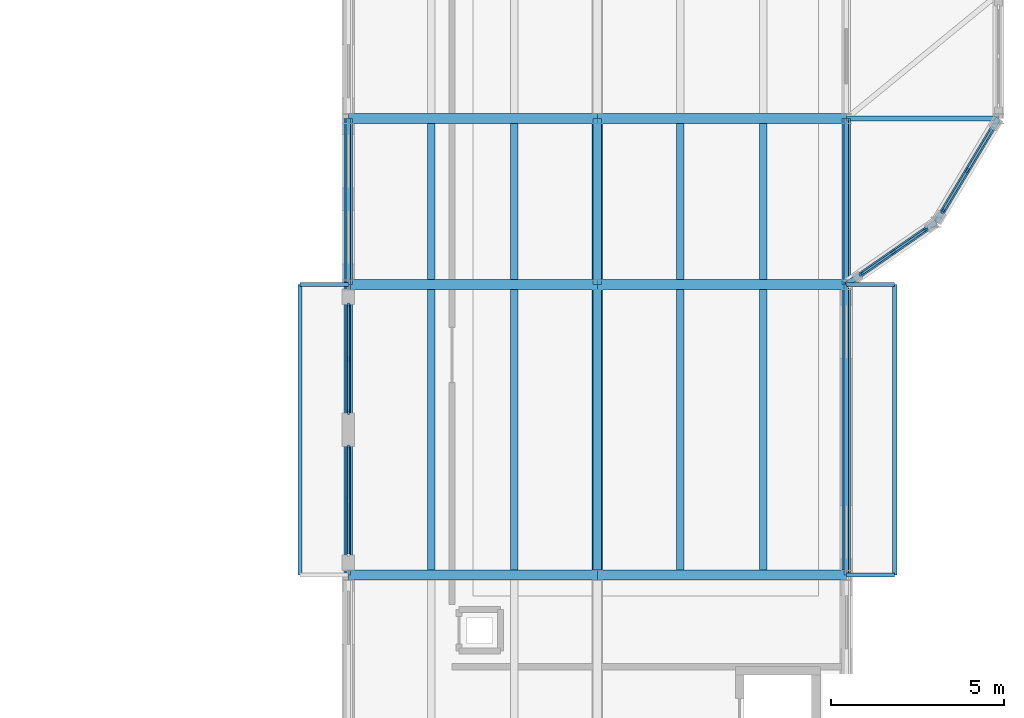
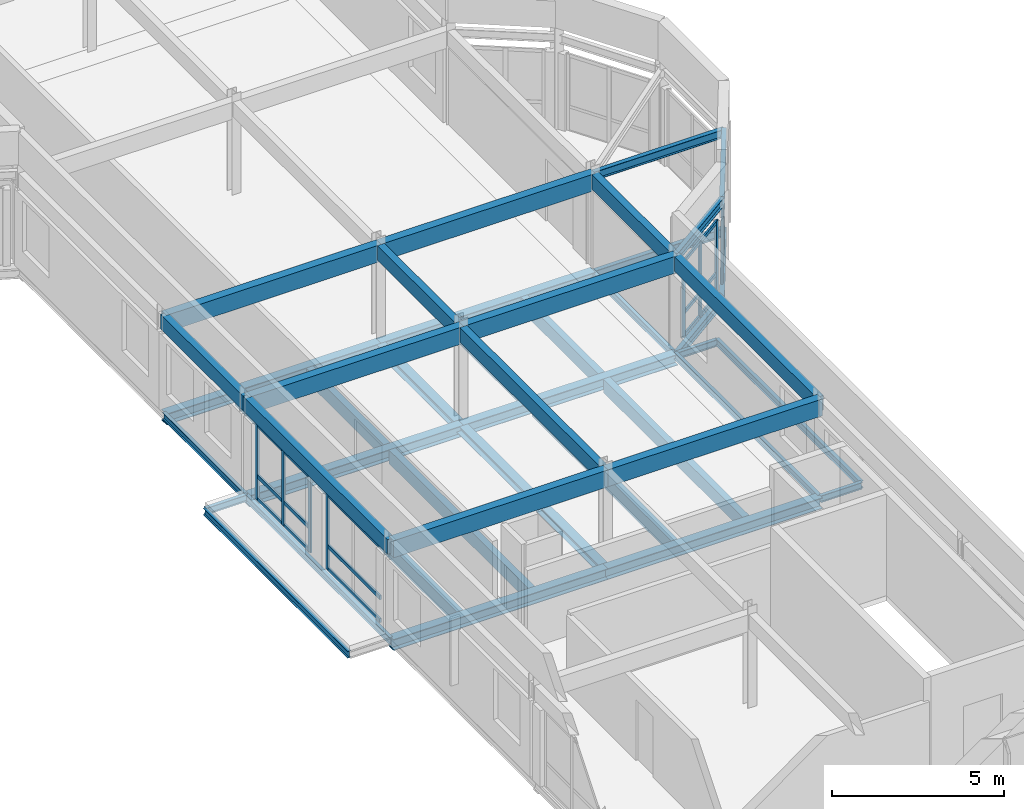
# One storey, part 7 of 21: 43 beams, 20 members, 4 elements without a shape of their own.
"""IFC4 building model written with IfcOpenShell, lengths in metres."""

from ifc_helpers import new_model, si_unit, direction, frame, origin, origin_2d, place, context, subcontext, project, spatial, rectangle, i_section, extrude, material, material_profile, profile_set, type_object, element, aggregate, save


model = new_model("IFC4")

# Units and contexts
model_context = context("Model", 3, precision=1e-05, world=origin(), true_north=direction((0.0, 1.0)))
body_context = subcontext(model_context, "Body", "Model", "MODEL_VIEW")
ifc_project = project(units=[si_unit("LENGTHUNIT", "METRE"), si_unit("AREAUNIT", "SQUARE_METRE"), si_unit("VOLUMEUNIT", "CUBIC_METRE"), si_unit("PLANEANGLEUNIT", "RADIAN"), si_unit("MASSUNIT", "GRAM", prefix="KILO")], contexts=[model_context])

# Site, building, storey
site_placement = place(None, origin())
site = spatial("IfcSite", under=ifc_project, at=site_placement, CompositionType="ELEMENT")
building_placement = place(site_placement, origin())
building = spatial("IfcBuilding", under=site, at=building_placement, Name="Kahlenmark Community Centre", CompositionType="ELEMENT")
storey_placement = place(building_placement, frame((0.0, 0.0, 21.60009765625)))
storey = spatial("IfcBuildingStorey", under=building, at=storey_placement, Name="L05", CompositionType="ELEMENT", Elevation=21.60009765625)

# Beams
ifc_material_1 = material(Name="Glulam GL32h", Category="wood")
ifc_material_profile_1 = material_profile(ifc_material_1, rectangle(XDim=0.239990234375, YDim=0.52001953125, at=origin_2d()), Name="GL32h 240x520")
ifc_profile_set_1 = profile_set([ifc_material_profile_1], Name="Glulam GL32h")
beam_type_1 = type_object("IfcBeamType", Name="BT-BEAM-GL32h240x520", PredefinedType="BEAM", material=ifc_profile_set_1)
beam_1_placement = place(storey_placement, frame((72.39990234375, 67.60009765625, 3.059814453125), z_axis=(0.0, 1.0, 0.0), x_axis=(-1.0, 0.0, 0.0)))
element("IfcBeam", 1, at=beam_1_placement, inside=storey, type_object=beam_type_1, Name="L05 beam BG-RF520", PredefinedType="BEAM", context=body_context, shape_type="SweptSolid", body=[
    extrude(rectangle(XDim=0.239990234375, YDim=0.52001953125, at=origin_2d()), origin(), (0.0, 0.0, 1.0), 8.39990234375),
])
beam_2_placement = place(storey_placement, frame((72.39990234375, 76.0, 3.059814453125), z_axis=(0.0, 1.0, 0.0), x_axis=(-1.0, 0.0, 0.0)))
element("IfcBeam", 2, at=beam_2_placement, inside=storey, type_object=beam_type_1, Name="L05 beam BG-RF520", PredefinedType="BEAM", context=body_context, shape_type="SweptSolid", body=[
    extrude(rectangle(XDim=0.239990234375, YDim=0.52001953125, at=origin_2d()), origin(), (0.0, 0.0, 1.0), 4.800048828125),
])
beam_3_placement = place(storey_placement, frame((79.60009765625, 67.60009765625, 3.059814453125), z_axis=(0.0, 1.0, 0.0), x_axis=(-1.0, 0.0, 0.0)))
element("IfcBeam", 3, at=beam_3_placement, inside=storey, type_object=beam_type_1, Name="L05 beam BG-RF520", PredefinedType="BEAM", context=body_context, shape_type="SweptSolid", body=[
    extrude(rectangle(XDim=0.239990234375, YDim=0.52001953125, at=origin_2d()), origin(), (0.0, 0.0, 1.0), 8.39990234375),
])
beam_4_placement = place(storey_placement, frame((79.60009765625, 76.0, 3.059814453125), z_axis=(0.0, 1.0, 0.0), x_axis=(-1.0, 0.0, 0.0)))
element("IfcBeam", 4, at=beam_4_placement, inside=storey, type_object=beam_type_1, Name="L05 beam BG-RF520", PredefinedType="BEAM", context=body_context, shape_type="SweptSolid", body=[
    extrude(rectangle(XDim=0.239990234375, YDim=0.52001953125, at=origin_2d()), origin(), (0.0, 0.0, 1.0), 4.800048828125),
])
beam_5_placement = place(storey_placement, frame((86.800048828125, 67.60009765625, 3.059814453125), z_axis=(0.0, 1.0, 0.0), x_axis=(-1.0, 0.0, 0.0)))
element("IfcBeam", 5, at=beam_5_placement, inside=storey, type_object=beam_type_1, Name="L05 beam BG-RF520", PredefinedType="BEAM", context=body_context, shape_type="SweptSolid", body=[
    extrude(rectangle(XDim=0.239990234375, YDim=0.52001953125, at=origin_2d()), origin(), (0.0, 0.0, 1.0), 8.39990234375),
])
beam_6_placement = place(storey_placement, frame((86.800048828125, 76.0, 3.059814453125), z_axis=(0.0, 1.0, 0.0), x_axis=(-1.0, 0.0, 0.0)))
element("IfcBeam", 6, at=beam_6_placement, inside=storey, type_object=beam_type_1, Name="L05 beam BG-RF520", PredefinedType="BEAM", context=body_context, shape_type="SweptSolid", body=[
    extrude(rectangle(XDim=0.239990234375, YDim=0.52001953125, at=origin_2d()), origin(), (0.0, 0.0, 1.0), 4.800048828125),
])
ifc_material_profile_2 = material_profile(ifc_material_1, rectangle(XDim=0.280029296875, YDim=0.60009765625, at=origin_2d()), Name="GL32h 280x600")
ifc_profile_set_2 = profile_set([ifc_material_profile_2], Name="Glulam GL32h")
beam_type_2 = type_object("IfcBeamType", Name="BT-BEAM-GL32h280x600", PredefinedType="BEAM", material=ifc_profile_set_2)
beam_7_placement = place(storey_placement, frame((72.39990234375, 67.60009765625, 3.02001953125), z_axis=(1.0, 0.0, 0.0), x_axis=(0.0, 1.0, 0.0)))
element("IfcBeam", 7, at=beam_7_placement, inside=storey, type_object=beam_type_2, Name="L05 beam BG-RF600", PredefinedType="BEAM", context=body_context, shape_type="SweptSolid", body=[
    extrude(rectangle(XDim=0.280029296875, YDim=0.60009765625, at=origin_2d()), origin(), (0.0, 0.0, 1.0), 7.2001953125),
])
beam_8_placement = place(storey_placement, frame((79.60009765625, 67.60009765625, 3.02001953125), z_axis=(1.0, 0.0, 0.0), x_axis=(0.0, 1.0, 0.0)))
element("IfcBeam", 8, at=beam_8_placement, inside=storey, type_object=beam_type_2, Name="L05 beam BG-RF600", PredefinedType="BEAM", context=body_context, shape_type="SweptSolid", body=[
    extrude(rectangle(XDim=0.280029296875, YDim=0.60009765625, at=origin_2d()), origin(), (0.0, 0.0, 1.0), 7.199951171875),
])
beam_9_placement = place(storey_placement, frame((72.39990234375, 76.0, 3.02001953125), z_axis=(1.0, 0.0, 0.0), x_axis=(0.0, 1.0, 0.0)))
element("IfcBeam", 9, at=beam_9_placement, inside=storey, type_object=beam_type_2, Name="L05 beam BG-RF600", PredefinedType="BEAM", context=body_context, shape_type="SweptSolid", body=[
    extrude(rectangle(XDim=0.280029296875, YDim=0.60009765625, at=origin_2d()), origin(), (0.0, 0.0, 1.0), 7.2001953125),
])
beam_10_placement = place(storey_placement, frame((79.60009765625, 76.0, 3.02001953125), z_axis=(1.0, 0.0, 0.0), x_axis=(0.0, 1.0, 0.0)))
element("IfcBeam", 10, at=beam_10_placement, inside=storey, type_object=beam_type_2, Name="L05 beam BG-RF600", PredefinedType="BEAM", context=body_context, shape_type="SweptSolid", body=[
    extrude(rectangle(XDim=0.280029296875, YDim=0.60009765625, at=origin_2d()), origin(), (0.0, 0.0, 1.0), 7.199951171875),
])
beam_11_placement = place(storey_placement, frame((72.39990234375, 80.800048828125, 3.02001953125), z_axis=(1.0, 0.0, 0.0), x_axis=(0.0, 1.0, 0.0)))
element("IfcBeam", 11, at=beam_11_placement, inside=storey, type_object=beam_type_2, Name="L05 beam BG-RF600", PredefinedType="BEAM", context=body_context, shape_type="SweptSolid", body=[
    extrude(rectangle(XDim=0.280029296875, YDim=0.60009765625, at=origin_2d()), origin(), (0.0, 0.0, 1.0), 7.2001953125),
])
beam_12_placement = place(storey_placement, frame((79.60009765625, 80.800048828125, 3.02001953125), z_axis=(1.0, 0.0, 0.0), x_axis=(0.0, 1.0, 0.0)))
element("IfcBeam", 12, at=beam_12_placement, inside=storey, type_object=beam_type_2, Name="L05 beam BG-RF600", PredefinedType="BEAM", context=body_context, shape_type="SweptSolid", body=[
    extrude(rectangle(XDim=0.280029296875, YDim=0.60009765625, at=origin_2d()), origin(), (0.0, 0.0, 1.0), 7.199951171875),
])
ifc_material_2 = material(Name="Steel S355", Category="steel")
ifc_material_profile_3 = material_profile(ifc_material_2, i_section(OverallWidth=0.300048828125, OverallDepth=0.2900390625, WebThickness=0.008544921875, FlangeThickness=0.013916015625, at=origin_2d()), Name="HEA 300")
ifc_profile_set_3 = profile_set([ifc_material_profile_3], Name="Steel S355")
beam_type_3 = type_object("IfcBeamType", Name="BT-BEAM-HEA300", PredefinedType="BEAM", material=ifc_profile_set_3)
beam_13_placement = place(storey_placement, frame((79.60009765625, 67.60009765625, -0.3251953125), z_axis=(0.0, 1.0, 0.0), x_axis=(-1.0, 0.0, 0.0)))
element("IfcBeam", 13, at=beam_13_placement, inside=storey, type_object=beam_type_3, Name="L05 beam BG-HEA300", PredefinedType="BEAM", context=body_context, shape_type="SweptSolid", body=[
    extrude(i_section(OverallWidth=0.300048828125, OverallDepth=0.2900390625, WebThickness=0.008544921875, FlangeThickness=0.013916015625, at=origin_2d()), origin(), (0.0, 0.0, 1.0), 8.39990234375),
])
beam_14_placement = place(storey_placement, frame((79.60009765625, 76.0, -0.3251953125), z_axis=(0.0, 1.0, 0.0), x_axis=(-1.0, 0.0, 0.0)))
element("IfcBeam", 14, at=beam_14_placement, inside=storey, type_object=beam_type_3, Name="L05 beam BG-HEA300", PredefinedType="BEAM", context=body_context, shape_type="SweptSolid", body=[
    extrude(i_section(OverallWidth=0.300048828125, OverallDepth=0.2900390625, WebThickness=0.008544921875, FlangeThickness=0.013916015625, at=origin_2d()), origin(), (0.0, 0.0, 1.0), 4.800048828125),
])
ifc_material_profile_4 = material_profile(ifc_material_2, i_section(OverallWidth=0.300048828125, OverallDepth=0.389892578125, WebThickness=0.010986328125, FlangeThickness=0.01904296875, at=origin_2d()), Name="HEA 400")
ifc_profile_set_4 = profile_set([ifc_material_profile_4], Name="Steel S355")
beam_type_4 = type_object("IfcBeamType", Name="BT-BEAM-HEA400", PredefinedType="BEAM", material=ifc_profile_set_4)
beam_15_placement = place(storey_placement, frame((72.39990234375, 67.60009765625, -0.375), z_axis=(1.0, 0.0, 0.0), x_axis=(0.0, 1.0, 0.0)))
element("IfcBeam", 15, at=beam_15_placement, inside=storey, type_object=beam_type_4, Name="L05 beam BG-HEA400", PredefinedType="BEAM", context=body_context, shape_type="SweptSolid", body=[
    extrude(i_section(OverallWidth=0.300048828125, OverallDepth=0.389892578125, WebThickness=0.010986328125, FlangeThickness=0.01904296875, at=origin_2d()), origin(), (0.0, 0.0, 1.0), 7.2001953125),
])
beam_16_placement = place(storey_placement, frame((79.60009765625, 67.60009765625, -0.375), z_axis=(1.0, 0.0, 0.0), x_axis=(0.0, 1.0, 0.0)))
element("IfcBeam", 16, at=beam_16_placement, inside=storey, type_object=beam_type_4, Name="L05 beam BG-HEA400", PredefinedType="BEAM", context=body_context, shape_type="SweptSolid", body=[
    extrude(i_section(OverallWidth=0.300048828125, OverallDepth=0.389892578125, WebThickness=0.010986328125, FlangeThickness=0.01904296875, at=origin_2d()), origin(), (0.0, 0.0, 1.0), 7.199951171875),
])
beam_17_placement = place(storey_placement, frame((72.39990234375, 76.0, -0.375), z_axis=(1.0, 0.0, 0.0), x_axis=(0.0, 1.0, 0.0)))
element("IfcBeam", 17, at=beam_17_placement, inside=storey, type_object=beam_type_4, Name="L05 beam BG-HEA400", PredefinedType="BEAM", context=body_context, shape_type="SweptSolid", body=[
    extrude(i_section(OverallWidth=0.300048828125, OverallDepth=0.389892578125, WebThickness=0.010986328125, FlangeThickness=0.01904296875, at=origin_2d()), origin(), (0.0, 0.0, 1.0), 7.2001953125),
])
beam_18_placement = place(storey_placement, frame((79.60009765625, 76.0, -0.375), z_axis=(1.0, 0.0, 0.0), x_axis=(0.0, 1.0, 0.0)))
element("IfcBeam", 18, at=beam_18_placement, inside=storey, type_object=beam_type_4, Name="L05 beam BG-HEA400", PredefinedType="BEAM", context=body_context, shape_type="SweptSolid", body=[
    extrude(i_section(OverallWidth=0.300048828125, OverallDepth=0.389892578125, WebThickness=0.010986328125, FlangeThickness=0.01904296875, at=origin_2d()), origin(), (0.0, 0.0, 1.0), 7.199951171875),
])
beam_19_placement = place(storey_placement, frame((72.39990234375, 80.800048828125, -0.375), z_axis=(1.0, 0.0, 0.0), x_axis=(0.0, 1.0, 0.0)))
element("IfcBeam", 19, at=beam_19_placement, inside=storey, type_object=beam_type_4, Name="L05 beam BG-HEA400", PredefinedType="BEAM", context=body_context, shape_type="SweptSolid", body=[
    extrude(i_section(OverallWidth=0.300048828125, OverallDepth=0.389892578125, WebThickness=0.010986328125, FlangeThickness=0.01904296875, at=origin_2d()), origin(), (0.0, 0.0, 1.0), 7.2001953125),
])
beam_20_placement = place(storey_placement, frame((79.60009765625, 80.800048828125, -0.375), z_axis=(1.0, 0.0, 0.0), x_axis=(0.0, 1.0, 0.0)))
element("IfcBeam", 20, at=beam_20_placement, inside=storey, type_object=beam_type_4, Name="L05 beam BG-HEA400", PredefinedType="BEAM", context=body_context, shape_type="SweptSolid", body=[
    extrude(i_section(OverallWidth=0.300048828125, OverallDepth=0.389892578125, WebThickness=0.010986328125, FlangeThickness=0.01904296875, at=origin_2d()), origin(), (0.0, 0.0, 1.0), 7.199951171875),
])
ifc_material_profile_5 = material_profile(ifc_material_2, i_section(OverallWidth=0.1201171875, OverallDepth=0.239990234375, WebThickness=0.006103515625, FlangeThickness=0.009765625, at=origin_2d()), Name="IPE 240")
ifc_profile_set_5 = profile_set([ifc_material_profile_5], Name="Steel S355")
beam_type_5 = type_object("IfcBeamType", Name="BT-BEAM-IPE240", PredefinedType="BEAM", material=ifc_profile_set_5)
for number, where, z_axis, x_axis, name in (
    (21, (86.800048828125, 67.60009765625, -0.300048828125), (1.0, 0.0, 0.0), (0.0, 1.0, 0.0), "L05 beam BG-IPE240"),
    (22, (86.800048828125, 76.0, -0.320068359375), (1.0, 0.0, 0.0), (0.0, 1.0, 0.0), "L05 beam BG-IPE240"),
    (23, (71.0, 76.0, -0.300048828125), (1.0, 0.0, 0.0), (0.0, 1.0, 0.0), "L05 beam BG-IPE240"),
):
    element("IfcBeam", number, at=place(storey_placement, frame(where, z_axis=z_axis, x_axis=x_axis)), inside=storey, type_object=beam_type_5, Name=name, PredefinedType="BEAM", context=body_context, shape_type="SweptSolid", body=[
        extrude(i_section(OverallWidth=0.1201171875, OverallDepth=0.239990234375, WebThickness=0.006103515625, FlangeThickness=0.009765625, at=origin_2d()), origin(), (0.0, 0.0, 1.0), 1.39990234375),
    ])
ifc_material_profile_6 = material_profile(ifc_material_2, i_section(OverallWidth=0.14990234375, OverallDepth=0.300048828125, WebThickness=0.007080078125, FlangeThickness=0.0107421875, at=origin_2d()), Name="IPE 300")
ifc_profile_set_6 = profile_set([ifc_material_profile_6], Name="Steel S355")
beam_type_6 = type_object("IfcBeamType", Name="BT-BEAM-IPE300", PredefinedType="BEAM", material=ifc_profile_set_6)
for number, where, z_axis, x_axis, name in (
    (24, (91.199951171875, 80.800048828125, -0.35009765625), (-1.0, 0.0, 0.0), (0.0, -1.0, 0.0), "L05 beam BG-IPE300"),
    (25, (91.199951171875, 80.800048828125, 3.169921875), (-1.0, 0.0, 0.0), (0.0, -1.0, 0.0), "L05 beam BG-IPE300"),
):
    element("IfcBeam", number, at=place(storey_placement, frame(where, z_axis=z_axis, x_axis=x_axis)), inside=storey, type_object=beam_type_6, Name=name, PredefinedType="BEAM", context=body_context, shape_type="SweptSolid", body=[
        extrude(i_section(OverallWidth=0.14990234375, OverallDepth=0.300048828125, WebThickness=0.007080078125, FlangeThickness=0.0107421875, at=origin_2d()), origin(), (0.0, 0.0, 1.0), 4.39990234375),
    ])
ifc_material_3 = material(Name="Glulam GL28h", Category="wood")
ifc_material_profile_7 = material_profile(ifc_material_3, rectangle(XDim=0.219970703125, YDim=0.47998046875, at=origin_2d()), Name="GL28h 220x480")
ifc_profile_set_7 = profile_set([ifc_material_profile_7], Name="Glulam GL28h")
beam_type_7 = type_object("IfcBeamType", Name="BT-JOIST-GL28h220x480", PredefinedType="JOIST", material=ifc_profile_set_7)
for number, where, z_axis, x_axis, name in (
    (26, (74.800048828125, 67.748046875, -0.420166015625), (0.0, 1.0, 0.0), (-1.0, 0.0, 0.0), "L05 joist BJ-GL28h220x480"),
    (27, (77.199951171875, 67.748046875, -0.420166015625), (0.0, 1.0, 0.0), (-1.0, 0.0, 0.0), "L05 joist BJ-GL28h220x480"),
):
    element("IfcBeam", number, at=place(storey_placement, frame(where, z_axis=z_axis, x_axis=x_axis)), inside=storey, type_object=beam_type_7, Name=name, PredefinedType="JOIST", context=body_context, shape_type="SweptSolid", body=[
        extrude(rectangle(XDim=0.219970703125, YDim=0.47998046875, at=origin_2d()), origin(), (0.0, 0.0, 1.0), 8.10400390625),
    ])
for number, where, z_axis, x_axis, name in (
    (28, (74.800048828125, 76.14794921875, -0.420166015625), (0.0, 1.0, 0.0), (-1.0, 0.0, 0.0), "L05 joist BJ-GL28h220x480"),
    (29, (77.199951171875, 76.14794921875, -0.420166015625), (0.0, 1.0, 0.0), (-1.0, 0.0, 0.0), "L05 joist BJ-GL28h220x480"),
):
    element("IfcBeam", number, at=place(storey_placement, frame(where, z_axis=z_axis, x_axis=x_axis)), inside=storey, type_object=beam_type_7, Name=name, PredefinedType="JOIST", context=body_context, shape_type="SweptSolid", body=[
        extrude(rectangle(XDim=0.219970703125, YDim=0.47998046875, at=origin_2d()), origin(), (0.0, 0.0, 1.0), 4.504150390625),
    ])
for number, where, z_axis, x_axis, name in (
    (30, (82.0, 67.748046875, -0.420166015625), (0.0, 1.0, 0.0), (-1.0, 0.0, 0.0), "L05 joist BJ-GL28h220x480"),
    (31, (84.39990234375, 67.748046875, -0.420166015625), (0.0, 1.0, 0.0), (-1.0, 0.0, 0.0), "L05 joist BJ-GL28h220x480"),
):
    element("IfcBeam", number, at=place(storey_placement, frame(where, z_axis=z_axis, x_axis=x_axis)), inside=storey, type_object=beam_type_7, Name=name, PredefinedType="JOIST", context=body_context, shape_type="SweptSolid", body=[
        extrude(rectangle(XDim=0.219970703125, YDim=0.47998046875, at=origin_2d()), origin(), (0.0, 0.0, 1.0), 8.10400390625),
    ])
for number, where, z_axis, x_axis, name in (
    (32, (82.0, 76.14794921875, -0.420166015625), (0.0, 1.0, 0.0), (-1.0, 0.0, 0.0), "L05 joist BJ-GL28h220x480"),
    (33, (84.39990234375, 76.14794921875, -0.420166015625), (0.0, 1.0, 0.0), (-1.0, 0.0, 0.0), "L05 joist BJ-GL28h220x480"),
):
    element("IfcBeam", number, at=place(storey_placement, frame(where, z_axis=z_axis, x_axis=x_axis)), inside=storey, type_object=beam_type_7, Name=name, PredefinedType="JOIST", context=body_context, shape_type="SweptSolid", body=[
        extrude(rectangle(XDim=0.219970703125, YDim=0.47998046875, at=origin_2d()), origin(), (0.0, 0.0, 1.0), 4.504150390625),
    ])
ifc_material_profile_8 = material_profile(ifc_material_2, i_section(OverallWidth=0.1201171875, OverallDepth=0.239990234375, WebThickness=0.006103515625, FlangeThickness=0.009765625, at=origin_2d()), Name="IPE 240")
ifc_profile_set_8 = profile_set([ifc_material_profile_8], Name="Steel S355")
beam_type_8 = type_object("IfcBeamType", Name="BT-SPANDREL-IPE240", PredefinedType="SPANDREL", material=ifc_profile_set_8)
beam_21_placement = place(storey_placement, frame((72.39990234375, 67.60009765625, -0.300048828125), z_axis=(0.0, 1.0, 0.0), x_axis=(-1.0, 0.0, 0.0)))
element("IfcBeam", 34, at=beam_21_placement, inside=storey, type_object=beam_type_8, Name="L05 spandrel SP-IPE240", PredefinedType="SPANDREL", context=body_context, shape_type="SweptSolid", body=[
    extrude(i_section(OverallWidth=0.1201171875, OverallDepth=0.239990234375, WebThickness=0.006103515625, FlangeThickness=0.009765625, at=origin_2d()), origin(), (0.0, 0.0, 1.0), 8.39990234375),
])
beam_22_placement = place(storey_placement, frame((72.39990234375, 76.0, -0.300048828125), z_axis=(0.0, 1.0, 0.0), x_axis=(-1.0, 0.0, 0.0)))
element("IfcBeam", 35, at=beam_22_placement, inside=storey, type_object=beam_type_8, Name="L05 spandrel SP-IPE240", PredefinedType="SPANDREL", context=body_context, shape_type="SweptSolid", body=[
    extrude(i_section(OverallWidth=0.1201171875, OverallDepth=0.239990234375, WebThickness=0.006103515625, FlangeThickness=0.009765625, at=origin_2d()), origin(), (0.0, 0.0, 1.0), 4.800048828125),
])
beam_23_placement = place(storey_placement, frame((86.800048828125, 67.60009765625, -0.300048828125), z_axis=(0.0, 1.0, 0.0), x_axis=(-1.0, 0.0, 0.0)))
element("IfcBeam", 36, at=beam_23_placement, inside=storey, type_object=beam_type_8, Name="L05 spandrel SP-IPE240", PredefinedType="SPANDREL", context=body_context, shape_type="SweptSolid", body=[
    extrude(i_section(OverallWidth=0.1201171875, OverallDepth=0.239990234375, WebThickness=0.006103515625, FlangeThickness=0.009765625, at=origin_2d()), origin(), (0.0, 0.0, 1.0), 8.39990234375),
])
beam_24_placement = place(storey_placement, frame((86.800048828125, 76.0, -0.320068359375), z_axis=(0.0, 1.0, 0.0), x_axis=(-1.0, 0.0, 0.0)))
element("IfcBeam", 37, at=beam_24_placement, inside=storey, type_object=beam_type_8, Name="L05 spandrel SP-IPE240", PredefinedType="SPANDREL", context=body_context, shape_type="SweptSolid", body=[
    extrude(i_section(OverallWidth=0.1201171875, OverallDepth=0.239990234375, WebThickness=0.006103515625, FlangeThickness=0.009765625, at=origin_2d()), origin(), (0.0, 0.0, 1.0), 4.800048828125),
])
for number, where, z_axis, x_axis, name in (
    (38, (88.199951171875, 67.60009765625, -0.300048828125), (0.0, 1.0, 0.0), (-1.0, 0.0, 0.0), "L05 spandrel SP-IPE240"),
    (39, (71.0, 67.60009765625, -0.300048828125), (0.0, 1.0, 0.0), (-1.0, 0.0, 0.0), "L05 spandrel SP-IPE240"),
):
    element("IfcBeam", number, at=place(storey_placement, frame(where, z_axis=z_axis, x_axis=x_axis)), inside=storey, type_object=beam_type_8, Name=name, PredefinedType="SPANDREL", context=body_context, shape_type="SweptSolid", body=[
        extrude(i_section(OverallWidth=0.1201171875, OverallDepth=0.239990234375, WebThickness=0.006103515625, FlangeThickness=0.009765625, at=origin_2d()), origin(), (0.0, 0.0, 1.0), 8.39990234375),
    ])
ifc_material_profile_9 = material_profile(ifc_material_2, i_section(OverallWidth=0.14990234375, OverallDepth=0.300048828125, WebThickness=0.007080078125, FlangeThickness=0.0107421875, at=origin_2d()), Name="IPE 300")
ifc_profile_set_9 = profile_set([ifc_material_profile_9], Name="Steel S355")
beam_type_9 = type_object("IfcBeamType", Name="BT-SPANDREL-IPE300", PredefinedType="SPANDREL", material=ifc_profile_set_9)
beam_25_placement = place(storey_placement, frame((86.800048828125, 76.0, -0.35009765625), z_axis=(0.8221699556, 0.569242096219, 0.0), x_axis=(-0.569242096219, 0.8221699556, 0.0)))
element("IfcBeam", 40, at=beam_25_placement, inside=storey, type_object=beam_type_9, Name="L05 spandrel SP-IPE300", PredefinedType="SPANDREL", context=body_context, shape_type="SweptSolid", body=[
    extrude(i_section(OverallWidth=0.14990234375, OverallDepth=0.300048828125, WebThickness=0.007080078125, FlangeThickness=0.0107421875, at=origin_2d()), origin(), (0.0, 0.0, 1.0), 3.162109375),
])
beam_26_placement = place(storey_placement, frame((89.39990234375, 77.800048828125, -0.35009765625), z_axis=(0.514506017516, 0.857486768376, 0.0), x_axis=(-0.857486768376, 0.514506017516, 0.0)))
element("IfcBeam", 41, at=beam_26_placement, inside=storey, type_object=beam_type_9, Name="L05 spandrel SP-IPE300", PredefinedType="SPANDREL", context=body_context, shape_type="SweptSolid", body=[
    extrude(i_section(OverallWidth=0.14990234375, OverallDepth=0.300048828125, WebThickness=0.007080078125, FlangeThickness=0.0107421875, at=origin_2d()), origin(), (0.0, 0.0, 1.0), 3.49853515625),
])
beam_27_placement = place(storey_placement, frame((86.800048828125, 76.0, 3.169921875), z_axis=(0.8221699556, 0.569242096219, 0.0), x_axis=(-0.569242096219, 0.8221699556, 0.0)))
element("IfcBeam", 42, at=beam_27_placement, inside=storey, type_object=beam_type_9, Name="L05 spandrel SP-IPE300", PredefinedType="SPANDREL", context=body_context, shape_type="SweptSolid", body=[
    extrude(i_section(OverallWidth=0.14990234375, OverallDepth=0.300048828125, WebThickness=0.007080078125, FlangeThickness=0.0107421875, at=origin_2d()), origin(), (0.0, 0.0, 1.0), 3.162109375),
])
beam_28_placement = place(storey_placement, frame((89.39990234375, 77.800048828125, 3.169921875), z_axis=(0.514506017516, 0.857486768376, 0.0), x_axis=(-0.857486768376, 0.514506017516, 0.0)))
element("IfcBeam", 43, at=beam_28_placement, inside=storey, type_object=beam_type_9, Name="L05 spandrel SP-IPE300", PredefinedType="SPANDREL", context=body_context, shape_type="SweptSolid", body=[
    extrude(i_section(OverallWidth=0.14990234375, OverallDepth=0.300048828125, WebThickness=0.007080078125, FlangeThickness=0.0107421875, at=origin_2d()), origin(), (0.0, 0.0, 1.0), 3.49853515625),
])

# Curtain wall, members
ifc_material_4 = material(Name="Anodised aluminium unitised curtain wall", Category="aluminium")
curtain_wall_type_1 = type_object("IfcCurtainWallType", Name="CWT-UNIT-314X271", PredefinedType="USERDEFINED", material=ifc_material_4)
curtain_wall_1_placement = place(storey_placement, origin())
curtain_wall_1 = element("IfcCurtainWall", 44, at=curtain_wall_1_placement, inside=storey, type_object=curtain_wall_type_1, Name="Unitised curtain wall CW-147", ObjectType="UNITISED CURTAIN WALL", PredefinedType="USERDEFINED")
ifc_material_5 = material(Name="Anodised aluminium 6063-T6", Category="aluminium")
ifc_material_profile_10 = material_profile(ifc_material_5, rectangle(XDim=0.06005859375, YDim=0.139892578125, at=origin_2d()), Name="ALU MULLION 60x140")
ifc_profile_set_10 = profile_set([ifc_material_profile_10], Name="Anodised aluminium 6063-T6")
member_type_1 = type_object("IfcMemberType", Name="MT-MUL-140", PredefinedType="MULLION", material=ifc_profile_set_10)
member_1_placement = place(storey_placement, frame((72.39990234375, 75.389892578125, 0.0), z_axis=(0.0, 0.0, 1.0), x_axis=(1.0, 0.0, 0.0)))
member_1 = element("IfcMember", 45, at=member_1_placement, type_object=member_type_1, Name="CW-147 mullion 1", PredefinedType="MULLION", context=body_context, shape_type="SweptSolid", body=[
    extrude(rectangle(XDim=0.06005859375, YDim=0.139892578125, at=origin_2d()), origin(), (0.0, 0.0, 1.0), 2.7099609375),
])
member_2_placement = place(storey_placement, frame((72.39990234375, 73.85009765625, 0.0), z_axis=(0.0, 0.0, 1.0), x_axis=(1.0, 0.0, 0.0)))
member_2 = element("IfcMember", 46, at=member_2_placement, type_object=member_type_1, Name="CW-147 mullion 2", PredefinedType="MULLION", context=body_context, shape_type="SweptSolid", body=[
    extrude(rectangle(XDim=0.06005859375, YDim=0.139892578125, at=origin_2d()), origin(), (0.0, 0.0, 1.0), 2.7099609375),
])
member_3_placement = place(storey_placement, frame((72.39990234375, 72.31005859375, 0.0), z_axis=(0.0, 0.0, 1.0), x_axis=(1.0, 0.0, 0.0)))
member_3 = element("IfcMember", 47, at=member_3_placement, type_object=member_type_1, Name="CW-147 mullion 3", PredefinedType="MULLION", context=body_context, shape_type="SweptSolid", body=[
    extrude(rectangle(XDim=0.06005859375, YDim=0.139892578125, at=origin_2d()), origin(), (0.0, 0.0, 1.0), 2.7099609375),
])

# Curtain wall, member
curtain_wall_2_placement = place(storey_placement, origin())
curtain_wall_2 = element("IfcCurtainWall", 48, at=curtain_wall_2_placement, inside=storey, type_object=curtain_wall_type_1, Name="Unitised curtain wall CW-148", ObjectType="UNITISED CURTAIN WALL", PredefinedType="USERDEFINED")
member_4_placement = place(storey_placement, frame((72.39990234375, 71.2900390625, 0.0), z_axis=(0.0, 0.0, 1.0), x_axis=(1.0, 0.0, 0.0)))
member_4 = element("IfcMember", 49, at=member_4_placement, type_object=member_type_1, Name="CW-148 mullion 1", PredefinedType="MULLION", context=body_context, shape_type="SweptSolid", body=[
    extrude(rectangle(XDim=0.06005859375, YDim=0.139892578125, at=origin_2d()), origin(), (0.0, 0.0, 1.0), 2.7099609375),
])

# Curtain wall, members
curtain_wall_type_2 = type_object("IfcCurtainWallType", Name="CWT-UNIT-232X271", PredefinedType="USERDEFINED", material=ifc_material_4)
curtain_wall_3_placement = place(storey_placement, origin())
curtain_wall_3 = element("IfcCurtainWall", 50, at=curtain_wall_3_placement, inside=storey, type_object=curtain_wall_type_2, Name="Unitised curtain wall CW-171", ObjectType="UNITISED CURTAIN WALL", PredefinedType="USERDEFINED")
member_5_placement = place(storey_placement, frame((87.23583984375, 76.3017578125, 0.0), z_axis=(0.0, 0.0, 1.0), x_axis=(-0.56921208065, 0.822190736534, 0.0)))
member_5 = element("IfcMember", 51, at=member_5_placement, type_object=member_type_1, Name="CW-171 mullion 1", PredefinedType="MULLION", context=body_context, shape_type="SweptSolid", body=[
    extrude(rectangle(XDim=0.06005859375, YDim=0.139892578125, at=origin_2d()), origin(), (0.0, 0.0, 1.0), 2.7099609375),
])
member_6_placement = place(storey_placement, frame((88.165771484375, 76.945556640625, 0.0), z_axis=(0.0, 0.0, 1.0), x_axis=(-0.56921208065, 0.822190736534, 0.0)))
member_6 = element("IfcMember", 52, at=member_6_placement, type_object=member_type_1, Name="CW-171 mullion 2", PredefinedType="MULLION", context=body_context, shape_type="SweptSolid", body=[
    extrude(rectangle(XDim=0.06005859375, YDim=0.139892578125, at=origin_2d()), origin(), (0.0, 0.0, 1.0), 2.7099609375),
])
member_7_placement = place(storey_placement, frame((89.095703125, 77.58935546875, 0.0), z_axis=(0.0, 0.0, 1.0), x_axis=(-0.56921208065, 0.822190736534, 0.0)))
member_7 = element("IfcMember", 53, at=member_7_placement, type_object=member_type_1, Name="CW-171 mullion 3", PredefinedType="MULLION", context=body_context, shape_type="SweptSolid", body=[
    extrude(rectangle(XDim=0.06005859375, YDim=0.139892578125, at=origin_2d()), origin(), (0.0, 0.0, 1.0), 2.7099609375),
])

curtain_wall_type_3 = type_object("IfcCurtainWallType", Name="CWT-UNIT-282X271", PredefinedType="USERDEFINED", material=ifc_material_4)
curtain_wall_4_placement = place(storey_placement, origin())
curtain_wall_4 = element("IfcCurtainWall", 54, at=curtain_wall_4_placement, inside=storey, type_object=curtain_wall_type_3, Name="Unitised curtain wall CW-172", ObjectType="UNITISED CURTAIN WALL", PredefinedType="USERDEFINED")
member_8_placement = place(storey_placement, frame((89.59033203125, 78.1171875, 0.0), z_axis=(0.0, 0.0, 1.0), x_axis=(-0.857492535386, 0.514496405972, 0.0)))
member_8 = element("IfcMember", 55, at=member_8_placement, type_object=member_type_1, Name="CW-172 mullion 1", PredefinedType="MULLION", context=body_context, shape_type="SweptSolid", body=[
    extrude(rectangle(XDim=0.06005859375, YDim=0.139892578125, at=origin_2d()), origin(), (0.0, 0.0, 1.0), 2.7099609375),
])
member_9_placement = place(storey_placement, frame((90.300048828125, 79.300048828125, 0.0), z_axis=(0.0, 0.0, 1.0), x_axis=(-0.857492535386, 0.514496405972, 0.0)))
member_9 = element("IfcMember", 56, at=member_9_placement, type_object=member_type_1, Name="CW-172 mullion 2", PredefinedType="MULLION", context=body_context, shape_type="SweptSolid", body=[
    extrude(rectangle(XDim=0.06005859375, YDim=0.139892578125, at=origin_2d()), origin(), (0.0, 0.0, 1.0), 2.7099609375),
])

# Member
ifc_material_profile_11 = material_profile(ifc_material_5, rectangle(XDim=0.06005859375, YDim=0.1201171875, at=origin_2d()), Name="ALU TRANSOM 60x120")
ifc_profile_set_11 = profile_set([ifc_material_profile_11], Name="Anodised aluminium 6063-T6")
member_type_2 = type_object("IfcMemberType", Name="MT-TRN-120", PredefinedType="USERDEFINED", material=ifc_profile_set_11)
member_10_placement = place(storey_placement, frame((87.23583984375, 76.3017578125, 0.039794921875), z_axis=(0.822192191644, 0.56920997883, 0.0), x_axis=(-0.56920997883, 0.822192191644, 0.0)))
member_10 = element("IfcMember", 57, at=member_10_placement, type_object=member_type_2, Name="CW-171 transom 1", ObjectType="TRANSOM", PredefinedType="USERDEFINED", context=body_context, shape_type="SweptSolid", body=[
    extrude(rectangle(XDim=0.06005859375, YDim=0.1201171875, at=origin_2d()), origin(), (0.0, 0.0, 1.0), 2.261962890625),
])

member_11_placement = place(storey_placement, frame((87.23583984375, 76.3017578125, 0.849853515625), z_axis=(0.822192191644, 0.56920997883, 0.0), x_axis=(-0.56920997883, 0.822192191644, 0.0)))
member_11 = element("IfcMember", 58, at=member_11_placement, type_object=member_type_2, Name="CW-171 transom 2", ObjectType="TRANSOM", PredefinedType="USERDEFINED", context=body_context, shape_type="SweptSolid", body=[
    extrude(rectangle(XDim=0.06005859375, YDim=0.1201171875, at=origin_2d()), origin(), (0.0, 0.0, 1.0), 2.261962890625),
])

member_12_placement = place(storey_placement, frame((87.23583984375, 76.3017578125, 2.669921875), z_axis=(0.822192191644, 0.56920997883, 0.0), x_axis=(-0.56920997883, 0.822192191644, 0.0)))
member_12 = element("IfcMember", 59, at=member_12_placement, type_object=member_type_2, Name="CW-171 transom 3", ObjectType="TRANSOM", PredefinedType="USERDEFINED", context=body_context, shape_type="SweptSolid", body=[
    extrude(rectangle(XDim=0.06005859375, YDim=0.1201171875, at=origin_2d()), origin(), (0.0, 0.0, 1.0), 2.261962890625),
])

aggregate(curtain_wall_3, [member_5, member_6, member_7, member_10, member_11, member_12])

member_13_placement = place(storey_placement, frame((89.59033203125, 78.1171875, 0.039794921875), z_axis=(0.514495755428, 0.857492925713, 0.0), x_axis=(-0.857492925713, 0.514495755428, 0.0)))
member_13 = element("IfcMember", 60, at=member_13_placement, type_object=member_type_2, Name="CW-172 transom 1", ObjectType="TRANSOM", PredefinedType="USERDEFINED", context=body_context, shape_type="SweptSolid", body=[
    extrude(rectangle(XDim=0.06005859375, YDim=0.1201171875, at=origin_2d()), origin(), (0.0, 0.0, 1.0), 2.7587890625),
])

member_14_placement = place(storey_placement, frame((89.59033203125, 78.1171875, 0.849853515625), z_axis=(0.514495755428, 0.857492925713, 0.0), x_axis=(-0.857492925713, 0.514495755428, 0.0)))
member_14 = element("IfcMember", 61, at=member_14_placement, type_object=member_type_2, Name="CW-172 transom 2", ObjectType="TRANSOM", PredefinedType="USERDEFINED", context=body_context, shape_type="SweptSolid", body=[
    extrude(rectangle(XDim=0.06005859375, YDim=0.1201171875, at=origin_2d()), origin(), (0.0, 0.0, 1.0), 2.7587890625),
])

aggregate(curtain_wall_4, [member_8, member_9, member_13, member_14])

ifc_material_profile_12 = material_profile(ifc_material_5, rectangle(XDim=0.06005859375, YDim=0.139892578125, at=origin_2d()), Name="ALU TRANSOM 60x140")
ifc_profile_set_12 = profile_set([ifc_material_profile_12], Name="Anodised aluminium 6063-T6")
member_type_3 = type_object("IfcMemberType", Name="MT-TRN-140", PredefinedType="USERDEFINED", material=ifc_profile_set_12)
member_15_placement = place(storey_placement, frame((72.39990234375, 75.389892578125, 0.039794921875), z_axis=(0.0, -1.0, 0.0), x_axis=(1.0, 0.0, 0.0)))
member_15 = element("IfcMember", 62, at=member_15_placement, type_object=member_type_3, Name="CW-147 transom 1", ObjectType="TRANSOM", PredefinedType="USERDEFINED", context=body_context, shape_type="SweptSolid", body=[
    extrude(rectangle(XDim=0.06005859375, YDim=0.139892578125, at=origin_2d()), origin(), (0.0, 0.0, 1.0), 3.079833984375),
])

member_16_placement = place(storey_placement, frame((72.39990234375, 75.389892578125, 0.849853515625), z_axis=(0.0, -1.0, 0.0), x_axis=(1.0, 0.0, 0.0)))
member_16 = element("IfcMember", 63, at=member_16_placement, type_object=member_type_3, Name="CW-147 transom 2", ObjectType="TRANSOM", PredefinedType="USERDEFINED", context=body_context, shape_type="SweptSolid", body=[
    extrude(rectangle(XDim=0.06005859375, YDim=0.139892578125, at=origin_2d()), origin(), (0.0, 0.0, 1.0), 3.079833984375),
])

member_17_placement = place(storey_placement, frame((72.39990234375, 75.389892578125, 2.669921875), z_axis=(0.0, -1.0, 0.0), x_axis=(1.0, 0.0, 0.0)))
member_17 = element("IfcMember", 64, at=member_17_placement, type_object=member_type_3, Name="CW-147 transom 3", ObjectType="TRANSOM", PredefinedType="USERDEFINED", context=body_context, shape_type="SweptSolid", body=[
    extrude(rectangle(XDim=0.06005859375, YDim=0.139892578125, at=origin_2d()), origin(), (0.0, 0.0, 1.0), 3.079833984375),
])

aggregate(curtain_wall_1, [member_1, member_2, member_3, member_15, member_16, member_17])

member_18_placement = place(storey_placement, frame((72.39990234375, 71.2900390625, 0.039794921875), z_axis=(0.0, -1.0, 0.0), x_axis=(1.0, 0.0, 0.0)))
member_18 = element("IfcMember", 65, at=member_18_placement, type_object=member_type_3, Name="CW-148 transom 1", ObjectType="TRANSOM", PredefinedType="USERDEFINED", context=body_context, shape_type="SweptSolid", body=[
    extrude(rectangle(XDim=0.06005859375, YDim=0.139892578125, at=origin_2d()), origin(), (0.0, 0.0, 1.0), 3.080078125),
])

member_19_placement = place(storey_placement, frame((72.39990234375, 71.2900390625, 0.849853515625), z_axis=(0.0, -1.0, 0.0), x_axis=(1.0, 0.0, 0.0)))
member_19 = element("IfcMember", 66, at=member_19_placement, type_object=member_type_3, Name="CW-148 transom 2", ObjectType="TRANSOM", PredefinedType="USERDEFINED", context=body_context, shape_type="SweptSolid", body=[
    extrude(rectangle(XDim=0.06005859375, YDim=0.139892578125, at=origin_2d()), origin(), (0.0, 0.0, 1.0), 3.080078125),
])

member_20_placement = place(storey_placement, frame((72.39990234375, 71.2900390625, 2.669921875), z_axis=(0.0, -1.0, 0.0), x_axis=(1.0, 0.0, 0.0)))
member_20 = element("IfcMember", 67, at=member_20_placement, type_object=member_type_3, Name="CW-148 transom 3", ObjectType="TRANSOM", PredefinedType="USERDEFINED", context=body_context, shape_type="SweptSolid", body=[
    extrude(rectangle(XDim=0.06005859375, YDim=0.139892578125, at=origin_2d()), origin(), (0.0, 0.0, 1.0), 3.080078125),
])

aggregate(curtain_wall_2, [member_4, member_18, member_19, member_20])

save(model, "model.ifc")
